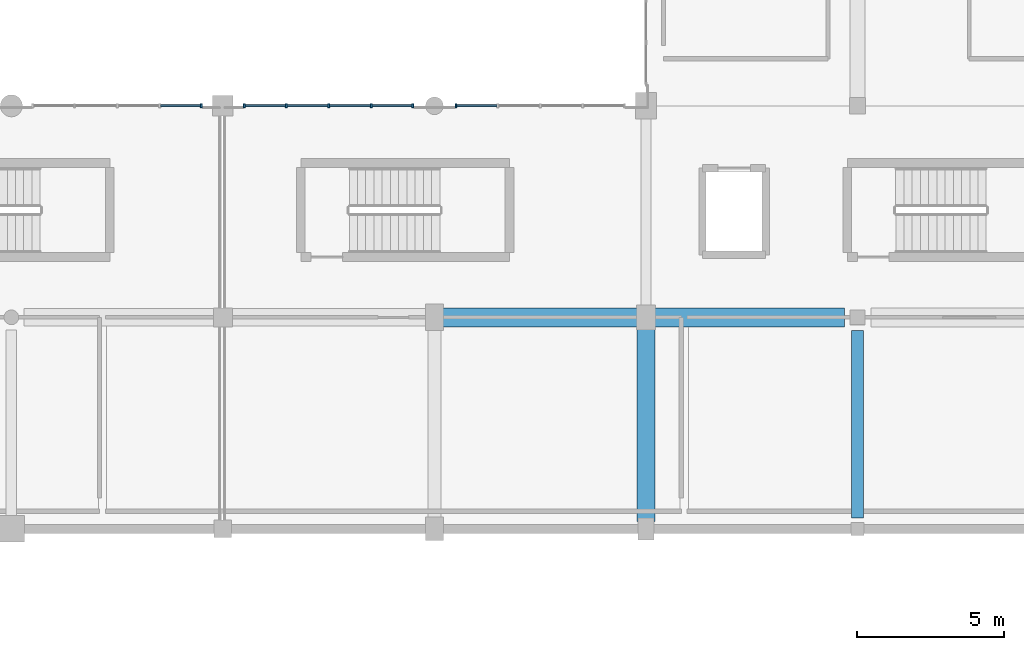
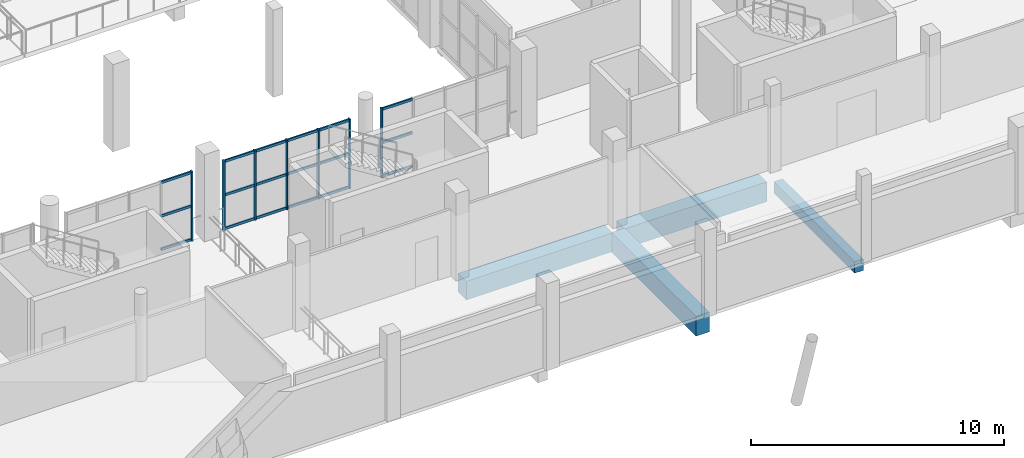
# One storey, part 25 of 92: 25 members, 4 beams, 3 elements without a shape of their own.
"""IFC4 building model written with IfcOpenShell, lengths in metres."""

from ifc_helpers import new_model, si_unit, direction, frame, origin, origin_2d, place, context, subcontext, project, spatial, rectangle, extrude, material, material_profile, profile_set, type_object, element, aggregate, save


model = new_model("IFC4")

# Units and contexts
model_context = context("Model", 3, precision=1e-05, world=origin(), true_north=direction((0.0, 1.0)))
body_context = subcontext(model_context, "Body", "Model", "MODEL_VIEW")
ifc_project = project(units=[si_unit("LENGTHUNIT", "METRE"), si_unit("AREAUNIT", "SQUARE_METRE"), si_unit("VOLUMEUNIT", "CUBIC_METRE"), si_unit("PLANEANGLEUNIT", "RADIAN"), si_unit("MASSUNIT", "GRAM", prefix="KILO")], contexts=[model_context])

# Site, building, storey
site_placement = place(None, origin())
site = spatial("IfcSite", under=ifc_project, at=site_placement, CompositionType="ELEMENT")
building_placement = place(site_placement, origin())
building = spatial("IfcBuilding", under=site, at=building_placement, Name="Solanera Park Tramway Depot", CompositionType="ELEMENT")
storey_placement = place(building_placement, frame((0.0, 0.0, 4.800048828125)))
storey = spatial("IfcBuildingStorey", under=building, at=storey_placement, Name="L01", CompositionType="ELEMENT", Elevation=4.800048828125)

# Curtain wall, member
ifc_material_1 = material(Name="Bronze-anodised thermally broken aluminium curtain wall", Category="aluminium")
curtain_wall_type = type_object("IfcCurtainWallType", Name="Courtyard Cloister Unitised Curtain Wall", PredefinedType="NOTDEFINED", material=ifc_material_1)
curtain_wall_1_placement = place(storey_placement, origin())
curtain_wall_1 = element("IfcCurtainWall", 1, at=curtain_wall_1_placement, inside=storey, type_object=curtain_wall_type, Name="L01 Courtyard Cloister Unitised Curtain Wall #091", PredefinedType="NOTDEFINED")
ifc_material_2 = material(Name="Bronze-anodised structural aluminium 6063-T6", Category="aluminium")
ifc_material_profile_1 = material_profile(ifc_material_2, rectangle(XDim=0.06494140625, YDim=0.14990234375, at=origin_2d()), Name="Curtain Wall Mullion 65x150")
ifc_profile_set_1 = profile_set([ifc_material_profile_1], Name="Bronze-anodised structural aluminium 6063-T6")
member_type_1 = type_object("IfcMemberType", Name="Curtain Wall Mullion 65x150", PredefinedType="MULLION", material=ifc_profile_set_1)
member_1_placement = place(storey_placement, frame((150.467529296875, 25.199951171875, 0.0), z_axis=(0.0, 0.0, 1.0), x_axis=(1.0, 0.0, 0.0)))
member_1 = element("IfcMember", 2, at=member_1_placement, type_object=member_type_1, Name="CW-L01-091 Mullion 5", PredefinedType="MULLION", context=body_context, shape_type="SweptSolid", body=[
    extrude(rectangle(XDim=0.06494140625, YDim=0.14990234375, at=origin_2d()), origin(), (0.0, 0.0, 1.0), 3.349853515625),
])

# Curtain wall, members
curtain_wall_2_placement = place(storey_placement, origin())
curtain_wall_2 = element("IfcCurtainWall", 3, at=curtain_wall_2_placement, inside=storey, type_object=curtain_wall_type, Name="L01 Courtyard Cloister Unitised Curtain Wall #092", PredefinedType="NOTDEFINED")
member_2_placement = place(storey_placement, frame((151.9326171875, 25.199951171875, 0.0), z_axis=(0.0, 0.0, 1.0), x_axis=(1.0, 0.0, 0.0)))
member_2 = element("IfcMember", 4, at=member_2_placement, type_object=member_type_1, Name="CW-L01-092 Mullion 1", PredefinedType="MULLION", context=body_context, shape_type="SweptSolid", body=[
    extrude(rectangle(XDim=0.06494140625, YDim=0.14990234375, at=origin_2d()), origin(), (0.0, 0.0, 1.0), 3.349853515625),
])
member_3_placement = place(storey_placement, frame((153.35009765625, 25.199951171875, 0.0), z_axis=(0.0, 0.0, 1.0), x_axis=(1.0, 0.0, 0.0)))
member_3 = element("IfcMember", 5, at=member_3_placement, type_object=member_type_1, Name="CW-L01-092 Mullion 2", PredefinedType="MULLION", context=body_context, shape_type="SweptSolid", body=[
    extrude(rectangle(XDim=0.06494140625, YDim=0.14990234375, at=origin_2d()), origin(), (0.0, 0.0, 1.0), 3.349853515625),
])
member_4_placement = place(storey_placement, frame((154.800048828125, 25.199951171875, 0.0), z_axis=(0.0, 0.0, 1.0), x_axis=(1.0, 0.0, 0.0)))
member_4 = element("IfcMember", 6, at=member_4_placement, type_object=member_type_1, Name="CW-L01-092 Mullion 3", PredefinedType="MULLION", context=body_context, shape_type="SweptSolid", body=[
    extrude(rectangle(XDim=0.06494140625, YDim=0.14990234375, at=origin_2d()), origin(), (0.0, 0.0, 1.0), 3.349853515625),
])
member_5_placement = place(storey_placement, frame((156.25, 25.199951171875, 0.0), z_axis=(0.0, 0.0, 1.0), x_axis=(1.0, 0.0, 0.0)))
member_5 = element("IfcMember", 7, at=member_5_placement, type_object=member_type_1, Name="CW-L01-092 Mullion 4", PredefinedType="MULLION", context=body_context, shape_type="SweptSolid", body=[
    extrude(rectangle(XDim=0.06494140625, YDim=0.14990234375, at=origin_2d()), origin(), (0.0, 0.0, 1.0), 3.349853515625),
])
member_6_placement = place(storey_placement, frame((157.66748046875, 25.199951171875, 0.0), z_axis=(0.0, 0.0, 1.0), x_axis=(1.0, 0.0, 0.0)))
member_6 = element("IfcMember", 8, at=member_6_placement, type_object=member_type_1, Name="CW-L01-092 Mullion 5", PredefinedType="MULLION", context=body_context, shape_type="SweptSolid", body=[
    extrude(rectangle(XDim=0.06494140625, YDim=0.14990234375, at=origin_2d()), origin(), (0.0, 0.0, 1.0), 3.349853515625),
])

# Curtain wall, member
curtain_wall_3_placement = place(storey_placement, origin())
curtain_wall_3 = element("IfcCurtainWall", 9, at=curtain_wall_3_placement, inside=storey, type_object=curtain_wall_type, Name="L01 Courtyard Cloister Unitised Curtain Wall #093", PredefinedType="NOTDEFINED")
member_7_placement = place(storey_placement, frame((159.132568359375, 25.199951171875, 0.0), z_axis=(0.0, 0.0, 1.0), x_axis=(1.0, 0.0, 0.0)))
member_7 = element("IfcMember", 10, at=member_7_placement, type_object=member_type_1, Name="CW-L01-093 Mullion 1", PredefinedType="MULLION", context=body_context, shape_type="SweptSolid", body=[
    extrude(rectangle(XDim=0.06494140625, YDim=0.14990234375, at=origin_2d()), origin(), (0.0, 0.0, 1.0), 3.349853515625),
])

# Member
ifc_material_3 = material(Name="Bronze-anodised structural aluminium 6063-T6", Category="aluminium")
ifc_material_profile_2 = material_profile(ifc_material_3, rectangle(XDim=0.06494140625, YDim=0.1201171875, at=origin_2d()), Name="Curtain Wall Transom 65x120")
ifc_profile_set_2 = profile_set([ifc_material_profile_2], Name="Bronze-anodised structural aluminium 6063-T6")
member_type_2 = type_object("IfcMemberType", Name="Curtain Wall Transom 65x120", PredefinedType="USERDEFINED", material=ifc_profile_set_2)
member_8_placement = place(storey_placement, frame((149.077880859375, 25.199951171875, 0.06005859375), z_axis=(1.0, 0.0, 0.0), x_axis=(0.0, 1.0, 0.0)))
member_8 = element("IfcMember", 11, at=member_8_placement, type_object=member_type_2, Name="CW-L01-091 Transom R1.C4", ObjectType="TRANSOM", PredefinedType="USERDEFINED", context=body_context, shape_type="SweptSolid", body=[
    extrude(rectangle(XDim=0.06494140625, YDim=0.1201171875, at=origin_2d()), origin(), (0.0, 0.0, 1.0), 1.361572265625),
])

member_9_placement = place(storey_placement, frame((149.077880859375, 25.199951171875, 1.675048828125), z_axis=(1.0, 0.0, 0.0), x_axis=(0.0, 1.0, 0.0)))
member_9 = element("IfcMember", 12, at=member_9_placement, type_object=member_type_2, Name="CW-L01-091 Transom R2.C4", ObjectType="TRANSOM", PredefinedType="USERDEFINED", context=body_context, shape_type="SweptSolid", body=[
    extrude(rectangle(XDim=0.06494140625, YDim=0.1201171875, at=origin_2d()), origin(), (0.0, 0.0, 1.0), 1.361572265625),
])

member_10_placement = place(storey_placement, frame((149.077880859375, 25.199951171875, 3.2900390625), z_axis=(1.0, 0.0, 0.0), x_axis=(0.0, 1.0, 0.0)))
member_10 = element("IfcMember", 13, at=member_10_placement, type_object=member_type_2, Name="CW-L01-091 Transom R3.C4", ObjectType="TRANSOM", PredefinedType="USERDEFINED", context=body_context, shape_type="SweptSolid", body=[
    extrude(rectangle(XDim=0.06494140625, YDim=0.1201171875, at=origin_2d()), origin(), (0.0, 0.0, 1.0), 1.361572265625),
])

aggregate(curtain_wall_1, [member_1, member_8, member_9, member_10])

member_11_placement = place(storey_placement, frame((151.96044921875, 25.199951171875, 0.06005859375), z_axis=(1.0, 0.0, 0.0), x_axis=(0.0, 1.0, 0.0)))
member_11 = element("IfcMember", 14, at=member_11_placement, type_object=member_type_2, Name="CW-L01-092 Transom R1.C1", ObjectType="TRANSOM", PredefinedType="USERDEFINED", context=body_context, shape_type="SweptSolid", body=[
    extrude(rectangle(XDim=0.06494140625, YDim=0.1201171875, at=origin_2d()), origin(), (0.0, 0.0, 1.0), 1.361572265625),
])

member_12_placement = place(storey_placement, frame((153.3779296875, 25.199951171875, 0.06005859375), z_axis=(1.0, 0.0, 0.0), x_axis=(0.0, 1.0, 0.0)))
member_12 = element("IfcMember", 15, at=member_12_placement, type_object=member_type_2, Name="CW-L01-092 Transom R1.C2", ObjectType="TRANSOM", PredefinedType="USERDEFINED", context=body_context, shape_type="SweptSolid", body=[
    extrude(rectangle(XDim=0.06494140625, YDim=0.1201171875, at=origin_2d()), origin(), (0.0, 0.0, 1.0), 1.39404296875),
])

member_13_placement = place(storey_placement, frame((154.827880859375, 25.199951171875, 0.06005859375), z_axis=(1.0, 0.0, 0.0), x_axis=(0.0, 1.0, 0.0)))
member_13 = element("IfcMember", 16, at=member_13_placement, type_object=member_type_2, Name="CW-L01-092 Transom R1.C3", ObjectType="TRANSOM", PredefinedType="USERDEFINED", context=body_context, shape_type="SweptSolid", body=[
    extrude(rectangle(XDim=0.06494140625, YDim=0.1201171875, at=origin_2d()), origin(), (0.0, 0.0, 1.0), 1.39404296875),
])

member_14_placement = place(storey_placement, frame((156.278076171875, 25.199951171875, 0.06005859375), z_axis=(1.0, 0.0, 0.0), x_axis=(0.0, 1.0, 0.0)))
member_14 = element("IfcMember", 17, at=member_14_placement, type_object=member_type_2, Name="CW-L01-092 Transom R1.C4", ObjectType="TRANSOM", PredefinedType="USERDEFINED", context=body_context, shape_type="SweptSolid", body=[
    extrude(rectangle(XDim=0.06494140625, YDim=0.1201171875, at=origin_2d()), origin(), (0.0, 0.0, 1.0), 1.361328125),
])

member_15_placement = place(storey_placement, frame((151.96044921875, 25.199951171875, 1.675048828125), z_axis=(1.0, 0.0, 0.0), x_axis=(0.0, 1.0, 0.0)))
member_15 = element("IfcMember", 18, at=member_15_placement, type_object=member_type_2, Name="CW-L01-092 Transom R2.C1", ObjectType="TRANSOM", PredefinedType="USERDEFINED", context=body_context, shape_type="SweptSolid", body=[
    extrude(rectangle(XDim=0.06494140625, YDim=0.1201171875, at=origin_2d()), origin(), (0.0, 0.0, 1.0), 1.361572265625),
])

member_16_placement = place(storey_placement, frame((153.3779296875, 25.199951171875, 1.675048828125), z_axis=(1.0, 0.0, 0.0), x_axis=(0.0, 1.0, 0.0)))
member_16 = element("IfcMember", 19, at=member_16_placement, type_object=member_type_2, Name="CW-L01-092 Transom R2.C2", ObjectType="TRANSOM", PredefinedType="USERDEFINED", context=body_context, shape_type="SweptSolid", body=[
    extrude(rectangle(XDim=0.06494140625, YDim=0.1201171875, at=origin_2d()), origin(), (0.0, 0.0, 1.0), 1.39404296875),
])

member_17_placement = place(storey_placement, frame((154.827880859375, 25.199951171875, 1.675048828125), z_axis=(1.0, 0.0, 0.0), x_axis=(0.0, 1.0, 0.0)))
member_17 = element("IfcMember", 20, at=member_17_placement, type_object=member_type_2, Name="CW-L01-092 Transom R2.C3", ObjectType="TRANSOM", PredefinedType="USERDEFINED", context=body_context, shape_type="SweptSolid", body=[
    extrude(rectangle(XDim=0.06494140625, YDim=0.1201171875, at=origin_2d()), origin(), (0.0, 0.0, 1.0), 1.39404296875),
])

member_18_placement = place(storey_placement, frame((156.278076171875, 25.199951171875, 1.675048828125), z_axis=(1.0, 0.0, 0.0), x_axis=(0.0, 1.0, 0.0)))
member_18 = element("IfcMember", 21, at=member_18_placement, type_object=member_type_2, Name="CW-L01-092 Transom R2.C4", ObjectType="TRANSOM", PredefinedType="USERDEFINED", context=body_context, shape_type="SweptSolid", body=[
    extrude(rectangle(XDim=0.06494140625, YDim=0.1201171875, at=origin_2d()), origin(), (0.0, 0.0, 1.0), 1.361328125),
])

member_19_placement = place(storey_placement, frame((151.96044921875, 25.199951171875, 3.2900390625), z_axis=(1.0, 0.0, 0.0), x_axis=(0.0, 1.0, 0.0)))
member_19 = element("IfcMember", 22, at=member_19_placement, type_object=member_type_2, Name="CW-L01-092 Transom R3.C1", ObjectType="TRANSOM", PredefinedType="USERDEFINED", context=body_context, shape_type="SweptSolid", body=[
    extrude(rectangle(XDim=0.06494140625, YDim=0.1201171875, at=origin_2d()), origin(), (0.0, 0.0, 1.0), 1.361572265625),
])

member_20_placement = place(storey_placement, frame((153.3779296875, 25.199951171875, 3.2900390625), z_axis=(1.0, 0.0, 0.0), x_axis=(0.0, 1.0, 0.0)))
member_20 = element("IfcMember", 23, at=member_20_placement, type_object=member_type_2, Name="CW-L01-092 Transom R3.C2", ObjectType="TRANSOM", PredefinedType="USERDEFINED", context=body_context, shape_type="SweptSolid", body=[
    extrude(rectangle(XDim=0.06494140625, YDim=0.1201171875, at=origin_2d()), origin(), (0.0, 0.0, 1.0), 1.39404296875),
])

member_21_placement = place(storey_placement, frame((154.827880859375, 25.199951171875, 3.2900390625), z_axis=(1.0, 0.0, 0.0), x_axis=(0.0, 1.0, 0.0)))
member_21 = element("IfcMember", 24, at=member_21_placement, type_object=member_type_2, Name="CW-L01-092 Transom R3.C3", ObjectType="TRANSOM", PredefinedType="USERDEFINED", context=body_context, shape_type="SweptSolid", body=[
    extrude(rectangle(XDim=0.06494140625, YDim=0.1201171875, at=origin_2d()), origin(), (0.0, 0.0, 1.0), 1.39404296875),
])

member_22_placement = place(storey_placement, frame((156.278076171875, 25.199951171875, 3.2900390625), z_axis=(1.0, 0.0, 0.0), x_axis=(0.0, 1.0, 0.0)))
member_22 = element("IfcMember", 25, at=member_22_placement, type_object=member_type_2, Name="CW-L01-092 Transom R3.C4", ObjectType="TRANSOM", PredefinedType="USERDEFINED", context=body_context, shape_type="SweptSolid", body=[
    extrude(rectangle(XDim=0.06494140625, YDim=0.1201171875, at=origin_2d()), origin(), (0.0, 0.0, 1.0), 1.361328125),
])

aggregate(curtain_wall_2, [member_2, member_3, member_4, member_5, member_6, member_11, member_12, member_13, member_14, member_15, member_16, member_17, member_18, member_19, member_20, member_21, member_22])

member_23_placement = place(storey_placement, frame((159.160400390625, 25.199951171875, 0.06005859375), z_axis=(1.0, 0.0, 0.0), x_axis=(0.0, 1.0, 0.0)))
member_23 = element("IfcMember", 26, at=member_23_placement, type_object=member_type_2, Name="CW-L01-093 Transom R1.C1", ObjectType="TRANSOM", PredefinedType="USERDEFINED", context=body_context, shape_type="SweptSolid", body=[
    extrude(rectangle(XDim=0.06494140625, YDim=0.1201171875, at=origin_2d()), origin(), (0.0, 0.0, 1.0), 1.361572265625),
])

member_24_placement = place(storey_placement, frame((159.160400390625, 25.199951171875, 1.675048828125), z_axis=(1.0, 0.0, 0.0), x_axis=(0.0, 1.0, 0.0)))
member_24 = element("IfcMember", 27, at=member_24_placement, type_object=member_type_2, Name="CW-L01-093 Transom R2.C1", ObjectType="TRANSOM", PredefinedType="USERDEFINED", context=body_context, shape_type="SweptSolid", body=[
    extrude(rectangle(XDim=0.06494140625, YDim=0.1201171875, at=origin_2d()), origin(), (0.0, 0.0, 1.0), 1.361572265625),
])

member_25_placement = place(storey_placement, frame((159.160400390625, 25.199951171875, 3.2900390625), z_axis=(1.0, 0.0, 0.0), x_axis=(0.0, 1.0, 0.0)))
member_25 = element("IfcMember", 28, at=member_25_placement, type_object=member_type_2, Name="CW-L01-093 Transom R3.C1", ObjectType="TRANSOM", PredefinedType="USERDEFINED", context=body_context, shape_type="SweptSolid", body=[
    extrude(rectangle(XDim=0.06494140625, YDim=0.1201171875, at=origin_2d()), origin(), (0.0, 0.0, 1.0), 1.361572265625),
])

aggregate(curtain_wall_3, [member_7, member_23, member_24, member_25])

# Beams
ifc_material_4 = material(Name="Concrete N40 (C40/50)", Category="concrete")
ifc_material_profile_3 = material_profile(ifc_material_4, rectangle(XDim=0.39990234375, YDim=0.550048828125, at=origin_2d()), Name="RCB 400x550")
ifc_profile_set_3 = profile_set([ifc_material_profile_3], Name="Concrete N40 (C40/50)")
beam_type_1 = type_object("IfcBeamType", Name="RC Floor Beam RCB 400x550", PredefinedType="BEAM", material=ifc_profile_set_3)
beam_1_placement = place(storey_placement, frame((172.800048828125, 11.175048828125, -0.553955078125), z_axis=(0.0, 1.0, 0.0), x_axis=(-1.0, 0.0, 0.0)))
element("IfcBeam", 29, at=beam_1_placement, inside=storey, type_object=beam_type_1, Name="L01 Primary Y-Girder RCB 400x550 #0068", PredefinedType="BEAM", context=body_context, shape_type="SweptSolid", body=[
    extrude(rectangle(XDim=0.39990234375, YDim=0.550048828125, at=origin_2d()), origin(), (0.0, 0.0, 1.0), 6.375),
])
ifc_material_5 = material(Name="Concrete N40 (C40/50)", Category="concrete")
ifc_material_profile_4 = material_profile(ifc_material_5, rectangle(XDim=0.60009765625, YDim=0.949951171875, at=origin_2d()), Name="RCB 600x950")
ifc_profile_set_4 = profile_set([ifc_material_profile_4], Name="Concrete N40 (C40/50)")
beam_type_2 = type_object("IfcBeamType", Name="RC Floor Beam RCB 600x950", PredefinedType="BEAM", material=ifc_profile_set_4)
beam_2_placement = place(storey_placement, frame((165.60009765625, 11.050048828125, -0.754150390625), z_axis=(0.0, 1.0, 0.0), x_axis=(-1.0, 0.0, 0.0)))
element("IfcBeam", 30, at=beam_2_placement, inside=storey, type_object=beam_type_2, Name="L01 Primary Y-Girder RCB 600x950 #0066", PredefinedType="BEAM", context=body_context, shape_type="SweptSolid", body=[
    extrude(rectangle(XDim=0.60009765625, YDim=0.949951171875, at=origin_2d()), origin(), (0.0, 0.0, 1.0), 6.675048828125),
])
ifc_material_6 = material(Name="Concrete N40 (C40/50)", Category="concrete")
ifc_material_profile_5 = material_profile(ifc_material_6, rectangle(XDim=0.64990234375, YDim=0.89990234375, at=origin_2d()), Name="RCB 650x900")
ifc_profile_set_5 = profile_set([ifc_material_profile_5], Name="Concrete N40 (C40/50)")
beam_type_3 = type_object("IfcBeamType", Name="RC Floor Beam RCB 650x900", PredefinedType="BEAM", material=ifc_profile_set_5)
beam_3_placement = place(storey_placement, frame((158.64990234375, 18.0, -0.72900390625), z_axis=(1.0, 0.0, 0.0), x_axis=(0.0, 1.0, 0.0)))
element("IfcBeam", 31, at=beam_3_placement, inside=storey, type_object=beam_type_3, Name="L01 Primary X-Girder RCB 650x900 #0008", PredefinedType="BEAM", context=body_context, shape_type="SweptSolid", body=[
    extrude(rectangle(XDim=0.64990234375, YDim=0.89990234375, at=origin_2d()), origin(), (0.0, 0.0, 1.0), 6.675048828125),
])
ifc_material_7 = material(Name="Concrete N40 (C40/50)", Category="concrete")
ifc_material_profile_6 = material_profile(ifc_material_7, rectangle(XDim=0.64990234375, YDim=0.949951171875, at=origin_2d()), Name="RCB 650x950")
ifc_profile_set_6 = profile_set([ifc_material_profile_6], Name="Concrete N40 (C40/50)")
beam_type_4 = type_object("IfcBeamType", Name="RC Floor Beam RCB 650x950", PredefinedType="BEAM", material=ifc_profile_set_6)
beam_4_placement = place(storey_placement, frame((165.875, 18.0, -0.754150390625), z_axis=(1.0, 0.0, 0.0), x_axis=(0.0, 1.0, 0.0)))
element("IfcBeam", 32, at=beam_4_placement, inside=storey, type_object=beam_type_4, Name="L01 Primary X-Girder RCB 650x950 #0009", PredefinedType="BEAM", context=body_context, shape_type="SweptSolid", body=[
    extrude(rectangle(XDim=0.64990234375, YDim=0.949951171875, at=origin_2d()), origin(), (0.0, 0.0, 1.0), 6.47509765625),
])

save(model, "model.ifc")
